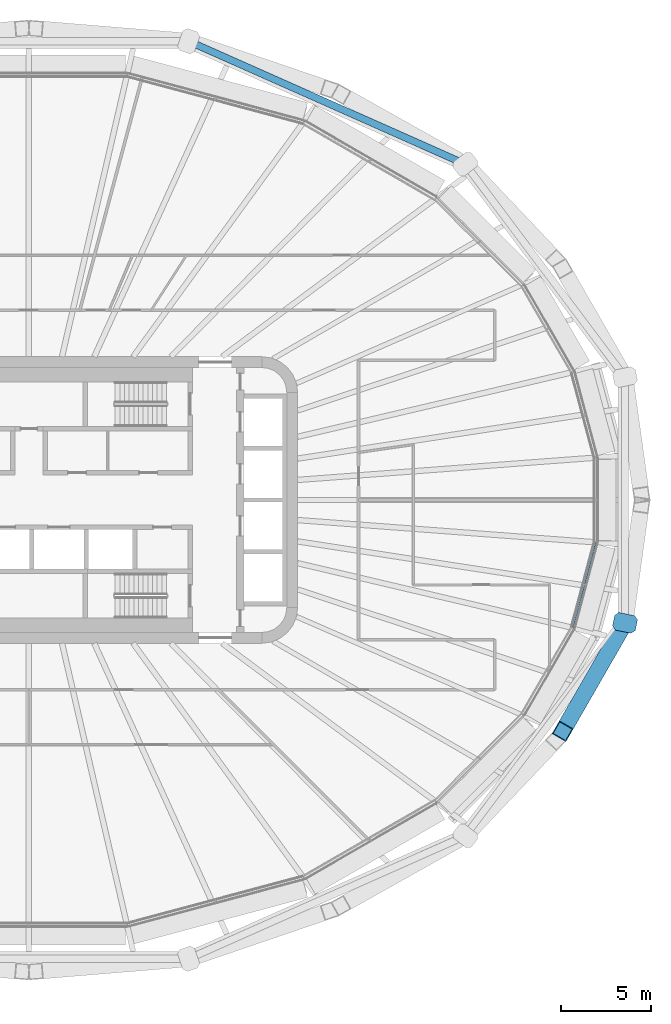
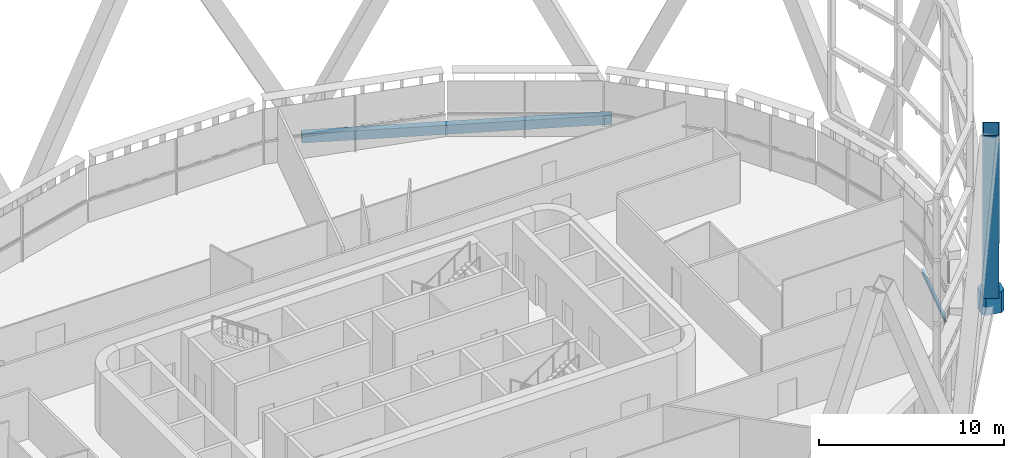
# One storey, part 12 of 26: 2 beams, 2 members.
"""IFC4 building model written with IfcOpenShell, lengths in metres."""

import ifcopenshell
import ifcopenshell.guid

model = None  # the IFC model being written
_history = None  # IfcOwnerHistory: only IFC2X3 demands one
_inside = {}  # id of a spatial element -> (the spatial element, [elements in it])
_under = {}  # id of a project, library or spatial element -> (it, [spatial elements below it])
_declared = {}  # id of a project -> (the project, [libraries it declares])
_typed = {}  # id of a type object -> (the type object, [elements of that type])
_made_of = {}  # id of a material, layer set ... -> (it, [elements and type objects made of it])


def new_model(schema):
    """Start an empty IFC model of exactly this schema.

    Asked for "IFC4X3", IfcOpenShell would pick the latest addendum, in which some entities
    have other attributes; the version numbers below select the first issue.
    IFC2X3 requires an IfcOwnerHistory on every rooted entity: one is made here for all.
    """
    global model, _history
    if schema == "IFC4X3":
        model = ifcopenshell.file(schema_version=(4, 3, 0, 0))
    else:
        model = ifcopenshell.file(schema=schema)
    _inside.clear()
    _under.clear()
    _declared.clear()
    _typed.clear()
    _made_of.clear()
    _history = None
    if model.schema == "IFC2X3":
        org = make("IfcOrganization", Name="unknown")
        user = make(
            "IfcPersonAndOrganization",
            ThePerson=make("IfcPerson", FamilyName="unknown"),
            TheOrganization=org,
        )
        app = make(
            "IfcApplication",
            ApplicationDeveloper=org,
            Version="unknown",
            ApplicationFullName="unknown",
            ApplicationIdentifier="unknown",
        )
        _history = make(
            "IfcOwnerHistory",
            OwningUser=user,
            OwningApplication=app,
            ChangeAction="ADDED",
            CreationDate=0,
        )
    return model


def make(cls, **values):
    """One entity of the class cls with the attributes given. An attribute that is None is left unset."""
    return model.create_entity(
        cls, **{name: value for name, value in values.items() if value is not None}
    )


def rooted(cls, **values):
    """An entity with a GlobalId (a new one), such as an element, a storey or a relation."""
    return make(cls, GlobalId=ifcopenshell.guid.new(), OwnerHistory=_history, **values)


def si_unit(unit_type, name, prefix=None):
    """IfcSIUnit, for example si_unit("LENGTHUNIT", "METRE", prefix="MILLI")."""
    return make("IfcSIUnit", UnitType=unit_type, Prefix=prefix, Name=name)


def assignment(units):
    """IfcUnitAssignment: the units of a project."""
    return None if units is None else make("IfcUnitAssignment", Units=units)


def point(xyz):
    """IfcCartesianPoint."""
    return None if xyz is None else make("IfcCartesianPoint", Coordinates=xyz)


def direction(xyz):
    """IfcDirection."""
    return None if xyz is None else make("IfcDirection", DirectionRatios=xyz)


def frame(location, z_axis=None, x_axis=None):
    """IfcAxis2Placement3D, a coordinate frame: its origin and axes. An axis left out is left unset."""
    return make(
        "IfcAxis2Placement3D",
        Location=point(location),
        Axis=direction(z_axis),
        RefDirection=direction(x_axis),
    )


def frame_2d(location, x_axis=None):
    """IfcAxis2Placement2D, a coordinate frame in the plane: its origin and x axis."""
    return make(
        "IfcAxis2Placement2D", Location=point(location), RefDirection=direction(x_axis)
    )


def origin():
    """The frame at (0, 0, 0) with its axes left unset."""
    return frame((0.0, 0.0, 0.0))


def origin_2d():
    """The frame at (0, 0) in the plane with its x axis left unset."""
    return frame_2d((0.0, 0.0))


def place(relative_to, where):
    """IfcLocalPlacement: puts the frame where relative to a parent placement (None: the world)."""
    return make(
        "IfcLocalPlacement", PlacementRelTo=relative_to, RelativePlacement=where
    )


def context(
    kind, dimensions, precision=None, world=None, true_north=None, identifier=None
):
    """IfcGeometricRepresentationContext, for example the 3D "Model" context."""
    return make(
        "IfcGeometricRepresentationContext",
        ContextIdentifier=identifier,
        ContextType=kind,
        CoordinateSpaceDimension=dimensions,
        Precision=precision,
        WorldCoordinateSystem=world,
        TrueNorth=true_north,
    )


def subcontext(parent, identifier, kind, view, scale=None):
    """IfcGeometricRepresentationSubContext, for example "Body" below "Model"."""
    return make(
        "IfcGeometricRepresentationSubContext",
        ContextIdentifier=identifier,
        ContextType=kind,
        ParentContext=parent,
        TargetScale=scale,
        TargetView=view,
    )


def project(units=None, contexts=None):
    """IfcProject with its units and contexts."""
    return rooted(
        "IfcProject",
        Name="project",
        RepresentationContexts=contexts,
        UnitsInContext=assignment(units),
    )


def spatial(cls, under=None, at=None, **own):
    """A site, building, storey or space (cls), placed at a placement, below another one or the project."""
    s = rooted(cls, ObjectPlacement=at, **own)
    if under is not None:
        _under.setdefault(under.id(), (under, []))[1].append(s)
    return s


def polyline(points):
    """IfcPolyline through the points."""
    return make("IfcPolyline", Points=[point(p) for p in points])


def profile(cls, at=None, kind="AREA", **sizes):
    """A parametric profile (cls). Its sizes go by their IFC names, for example OverallWidth=200.0."""
    return make(cls, ProfileType=kind, Position=at, **sizes)


def hollow_rectangle(**sizes):
    """IfcRectangleHollowProfileDef."""
    return profile("IfcRectangleHollowProfileDef", **sizes)


def i_section(**sizes):
    """IfcIShapeProfileDef."""
    return profile("IfcIShapeProfileDef", **sizes)


def outline(outer, holes=None, kind="AREA"):
    """IfcArbitraryClosedProfileDef: a profile drawn as a closed curve; with holes, ...WithVoids."""
    if holes is None:
        return make("IfcArbitraryClosedProfileDef", ProfileType=kind, OuterCurve=outer)
    return make(
        "IfcArbitraryProfileDefWithVoids",
        ProfileType=kind,
        OuterCurve=outer,
        InnerCurves=holes,
    )


def extrude(swept, where, along, depth):
    """IfcExtrudedAreaSolid: the profile swept, set in the frame where, extruded along a direction by depth."""
    return make(
        "IfcExtrudedAreaSolid",
        SweptArea=swept,
        Position=where,
        ExtrudedDirection=direction(along),
        Depth=depth,
    )


def shape(context_of_items, identifier, shape_type, items):
    """IfcShapeRepresentation: the items that make up one representation, for example the "Body"."""
    return make(
        "IfcShapeRepresentation",
        ContextOfItems=context_of_items,
        RepresentationIdentifier=identifier,
        RepresentationType=shape_type,
        Items=items,
    )


def material(Name=None, Category=None):
    """IfcMaterial."""
    return make("IfcMaterial", Name=Name, Category=Category)


def material_profile(
    of_material, cross_section, Name=None, Category=None, Priority=None
):
    """IfcMaterialProfile: a cross section and its material."""
    return make(
        "IfcMaterialProfile",
        Name=Name,
        Material=of_material,
        Profile=cross_section,
        Priority=Priority,
        Category=Category,
    )


def profile_set(profiles, Name=None, composite=None):
    """IfcMaterialProfileSet."""
    return make(
        "IfcMaterialProfileSet",
        Name=Name,
        MaterialProfiles=profiles,
        CompositeProfile=composite,
    )


def made_of(thing, what):
    """Note that an element or type object is made of a material, layer set ...; save() writes the relation."""
    if what is not None:
        _made_of.setdefault(what.id(), (what, []))[1].append(thing)
    return thing


def type_object(cls, material=None, **own):
    """A type object (cls), such as IfcWallType, which elements share."""
    return made_of(rooted(cls, **own), material)


def element(
    cls,
    number,
    at=None,
    inside=None,
    cuts=None,
    type_object=None,
    material=None,
    context=None,
    identifier="Body",
    shape_type=None,
    held_by="IfcProductDefinitionShape",
    body=None,
    shapes=None,
    **own,
):
    """One element of the class cls, such as IfcWall. Its Tag is "e" and its number.

    at: its placement. inside: the storey or other place that contains it. cuts: it is an
    opening in that element (IfcRelVoidsElement). A single representation is given by context,
    identifier, shape_type and body (its items); several are given by shapes. held_by: the class
    of the entity that holds the representations. save() writes the other relations.
    """
    e = rooted(cls, Tag="e%d" % number, ObjectPlacement=at, **own)
    if body is not None:
        shapes = [shape(context, identifier, shape_type, body)]
    if shapes is not None:
        e.Representation = make(held_by, Representations=shapes)
    if inside is not None:
        _inside.setdefault(inside.id(), (inside, []))[1].append(e)
    if cuts is not None:
        rooted(
            "IfcRelVoidsElement", RelatingBuildingElement=cuts, RelatedOpeningElement=e
        )
    if type_object is not None:
        _typed.setdefault(type_object.id(), (type_object, []))[1].append(e)
    return made_of(e, material)


def aggregate(whole, parts):
    """IfcRelAggregates: a whole, such as a stair, and the parts it consists of."""
    return rooted("IfcRelAggregates", RelatingObject=whole, RelatedObjects=parts)


def save(model, path):
    """Write the relations noted so far, then the file.

    IfcRelAggregates (storeys below a building ...), IfcRelContainedInSpatialStructure (elements
    in a storey), IfcRelDefinesByType, IfcRelAssociatesMaterial and IfcRelDeclares: one each for
    every whole, place, type object, material and project.
    """
    for whole, parts in _under.values():
        aggregate(whole, parts)
    for where, things in _inside.values():
        rooted(
            "IfcRelContainedInSpatialStructure",
            RelatedElements=things,
            RelatingStructure=where,
        )
    for kind, things in _typed.values():
        rooted("IfcRelDefinesByType", RelatedObjects=things, RelatingType=kind)
    for what, things in _made_of.values():
        rooted("IfcRelAssociatesMaterial", RelatedObjects=things, RelatingMaterial=what)
    for by, libraries in _declared.values():
        rooted("IfcRelDeclares", RelatingContext=by, RelatedDefinitions=libraries)
    model.write(path)


model = new_model("IFC4")

# Units and contexts
model_context = context("Model", 3, precision=1e-05, world=origin(), true_north=direction((0.0, 1.0)))
body_context = subcontext(model_context, "Body", "Model", "MODEL_VIEW")
ifc_project = project(units=[si_unit("LENGTHUNIT", "METRE"), si_unit("AREAUNIT", "SQUARE_METRE"), si_unit("VOLUMEUNIT", "CUBIC_METRE"), si_unit("PLANEANGLEUNIT", "RADIAN"), si_unit("MASSUNIT", "GRAM", prefix="KILO")], contexts=[model_context])

# Site, building, storey
site_placement = place(None, origin())
site = spatial("IfcSite", under=ifc_project, at=site_placement, CompositionType="ELEMENT")
building_placement = place(site_placement, origin())
building = spatial("IfcBuilding", under=site, at=building_placement, Name="Sahrelin Media Tower", CompositionType="ELEMENT")
storey_placement = place(building_placement, frame((0.0, 0.0, 131.39990234375)))
storey = spatial("IfcBuildingStorey", under=building, at=storey_placement, Name="L26", CompositionType="ELEMENT", Elevation=131.39990234375)

# Members
ifc_material_1 = material(Name="Steel S460", Category="steel")
ifc_material_profile_1 = material_profile(ifc_material_1, hollow_rectangle(XDim=0.89990234375, YDim=0.89990234375, WallThickness=0.050048828125, at=origin_2d()), Name="Diagrid diagonal DG3")
ifc_profile_set_1 = profile_set([ifc_material_profile_1], Name="Steel S460")
member_type_1 = type_object("IfcMemberType", Name="Diagrid diagonal DG3", PredefinedType="BRACE", material=ifc_profile_set_1)
member_1_placement = place(storey_placement, frame((33.123046875, -7.12548828125, 0.7001953125), z_axis=(-0.1983368601, -0.344642114144, 0.917542534755), x_axis=(0.866724059619, -0.498787935378, 0.0)))
element("IfcMember", 1, at=member_1_placement, inside=storey, type_object=member_type_1, Name="Diagrid diagonal D05-22", PredefinedType="BRACE", context=body_context, shape_type="SweptSolid", body=[
    extrude(hollow_rectangle(XDim=0.89990234375, YDim=0.89990234375, WallThickness=0.050048828125, at=origin_2d()), origin(), (0.0, 0.0, 1.0), 16.783935546875),
])
ifc_material_profile_2 = material_profile(ifc_material_1, outline(polyline([(0.449951171875, -0.5), (0.64990234375, -0.300048828125), (0.64990234375, 0.300048828125), (0.449951171875, 0.5), (-0.449951171875, 0.5), (-0.64990234375, 0.300048828125), (-0.64990234375, -0.300048828125), (-0.449951171875, -0.5), (0.449951171875, -0.5)])), Name="Diagrid node block 1300")
ifc_profile_set_2 = profile_set([ifc_material_profile_2], Name="Steel S460")
member_type_2 = type_object("IfcMemberType", Name="Diagrid node block 1300", PredefinedType="USERDEFINED", material=ifc_profile_set_2)
member_2_placement = place(storey_placement, frame((33.2744140625, -6.862548828125, -0.699951171875), z_axis=(0.0, 0.0, 1.0), x_axis=(0.979387770926, -0.201989094163, 0.0)))
element("IfcMember", 2, at=member_2_placement, inside=storey, type_object=member_type_2, Name="Diagrid node N05-11", ObjectType="NODE", PredefinedType="USERDEFINED", context=body_context, shape_type="SweptSolid", body=[
    extrude(outline(polyline([(0.449951171875, -0.5), (0.64990234375, -0.300048828125), (0.64990234375, 0.300048828125), (0.449951171875, 0.5), (-0.449951171875, 0.5), (-0.64990234375, 0.300048828125), (-0.64990234375, -0.300048828125), (-0.449951171875, -0.5), (0.449951171875, -0.5)])), origin(), (0.0, 0.0, 1.0), 1.400146484375),
])

# Beams
ifc_material_profile_3 = material_profile(ifc_material_1, hollow_rectangle(XDim=0.39990234375, YDim=0.60009765625, WallThickness=0.030029296875, at=origin_2d()), Name="Diagrid ring beam RB1")
ifc_profile_set_3 = profile_set([ifc_material_profile_3], Name="Steel S460")
beam_type_1 = type_object("IfcBeamType", Name="Diagrid ring beam RB1", PredefinedType="BEAM", material=ifc_profile_set_3)
beam_1_placement = place(storey_placement, frame((24.3583984375, 18.748779296875, -0.449951171875), z_axis=(-0.913835377653, 0.406084846491, 0.0), x_axis=(-0.406084846491, -0.913835377653, 0.0)))
element("IfcBeam", 3, at=beam_1_placement, inside=storey, type_object=beam_type_1, Name="Diagrid ring beam RB05-01", PredefinedType="BEAM", context=body_context, shape_type="SweptSolid", body=[
    extrude(hollow_rectangle(XDim=0.39990234375, YDim=0.60009765625, WallThickness=0.030029296875, at=origin_2d()), origin(), (0.0, 0.0, 1.0), 16.898681640625),
])
ifc_material_2 = material(Name="Steel S355", Category="steel")
ifc_material_profile_4 = material_profile(ifc_material_2, i_section(OverallWidth=0.14599609375, OverallDepth=0.25146484375, WebThickness=0.006103515625, FlangeThickness=0.008544921875, FilletRadius=0.007568359375, at=origin_2d()), Name="UB 254x146x31")
ifc_profile_set_4 = profile_set([ifc_material_profile_4], Name="Steel S355")
beam_type_2 = type_object("IfcBeamType", Name="Edge beam EB1", PredefinedType="BEAM", material=ifc_profile_set_4)
beam_2_placement = place(storey_placement, frame((31.595458984375, -2.3662109375, -0.275634765625), z_axis=(-0.258820885575, -0.965925333134, 0.0), x_axis=(0.965925333134, -0.258820885575, 0.0)))
element("IfcBeam", 4, at=beam_2_placement, inside=storey, type_object=beam_type_2, Name="Edge beam L26-02", PredefinedType="BEAM", context=body_context, shape_type="SweptSolid", body=[
    extrude(i_section(OverallWidth=0.14599609375, OverallDepth=0.25146484375, WebThickness=0.006103515625, FlangeThickness=0.008544921875, FilletRadius=0.007568359375, at=origin_2d()), origin(), (0.0, 0.0, 1.0), 4.892822265625),
])

save(model, "model.ifc")
